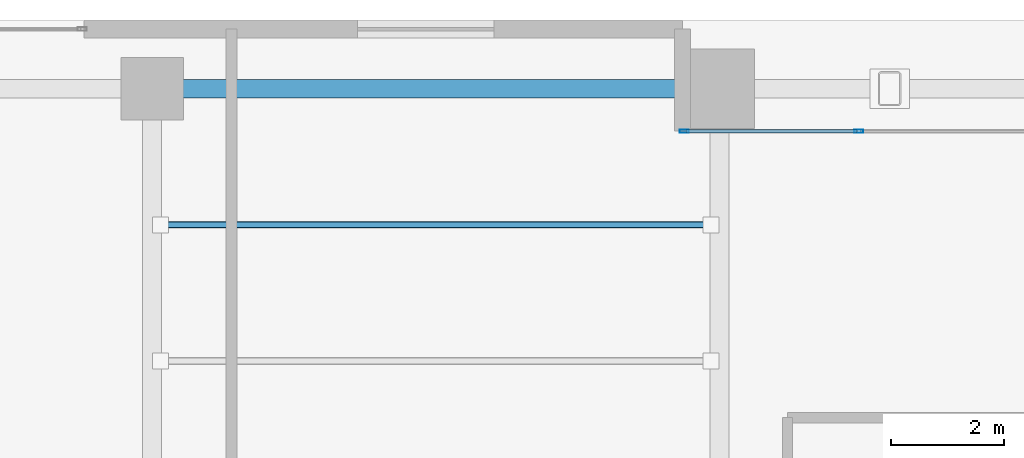
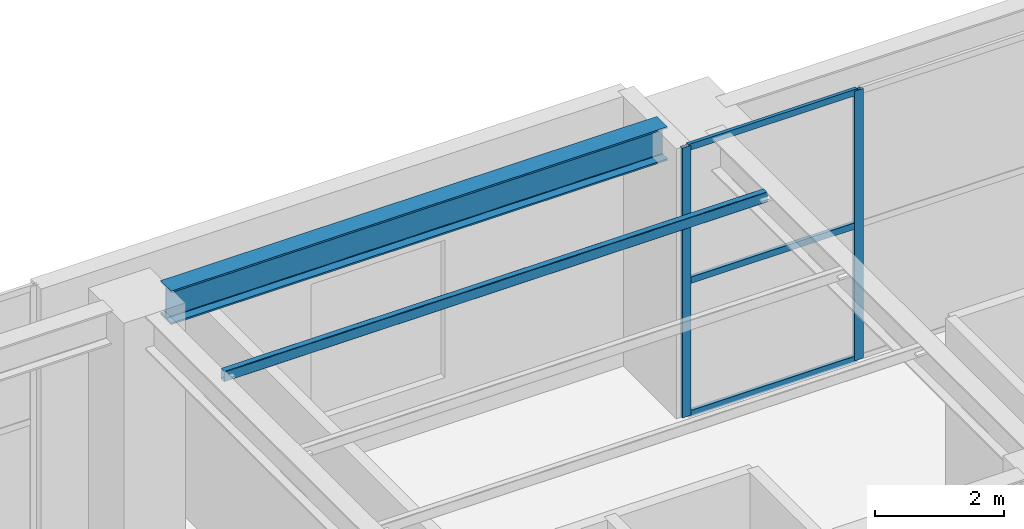
# One storey, part 15 of 32: 6 members, 1 beam, 1 element without a shape of its own.
"""IFC4 building model written with IfcOpenShell, lengths in metres."""

from ifc_helpers import new_model, si_unit, direction, frame, origin, origin_2d, place, context, subcontext, project, spatial, hollow_rectangle, i_section, extrude, material, layer, layer_set, material_profile, profile_set, type_object, element, aggregate, save


model = new_model("IFC4")

# Units and contexts
model_context = context("Model", 3, precision=1e-05, world=origin(), true_north=direction((0.0, 1.0)))
body_context = subcontext(model_context, "Body", "Model", "MODEL_VIEW")
ifc_project = project(units=[si_unit("LENGTHUNIT", "METRE"), si_unit("AREAUNIT", "SQUARE_METRE"), si_unit("VOLUMEUNIT", "CUBIC_METRE"), si_unit("PLANEANGLEUNIT", "RADIAN"), si_unit("MASSUNIT", "GRAM", prefix="KILO")], contexts=[model_context])

# Site, building, storey
site_placement = place(None, origin())
site = spatial("IfcSite", under=ifc_project, at=site_placement, CompositionType="ELEMENT")
building_placement = place(site_placement, origin())
building = spatial("IfcBuilding", under=site, at=building_placement, Name="Sarneth Arch Tower", CompositionType="ELEMENT")
storey_placement = place(building_placement, frame((0.0, 0.0, 11.39990234375)))
storey = spatial("IfcBuildingStorey", under=building, at=storey_placement, Name="L02", CompositionType="ELEMENT", Elevation=11.39990234375)

# Beam
ifc_material_1 = material(Name="Steel S355", Category="steel")
ifc_material_profile_1 = material_profile(ifc_material_1, i_section(OverallWidth=0.3291015625, OverallDepth=0.635009765625, WebThickness=0.017822265625, FlangeThickness=0.031005859375, FilletRadius=0.01904296875, at=origin_2d()), Name="W610x241")
ifc_profile_set_1 = profile_set([ifc_material_profile_1], Name="Steel S355")
beam_type = type_object("IfcBeamType", Name="BM-POD-610", PredefinedType="BEAM", material=ifc_profile_set_1)
beam_placement = place(storey_placement, frame((20.52001953125, 74.800048828125, 4.78271484375), z_axis=(1.0, 0.0, 0.0), x_axis=(0.0, 1.0, 0.0)))
element("IfcBeam", 1, at=beam_placement, inside=storey, type_object=beam_type, Name="L02 Podium PN girder 2", PredefinedType="BEAM", context=body_context, shape_type="SweptSolid", body=[
    extrude(i_section(OverallWidth=0.3291015625, OverallDepth=0.635009765625, WebThickness=0.017822265625, FlangeThickness=0.031005859375, FilletRadius=0.01904296875, at=origin_2d()), origin(), (0.0, 0.0, 1.0), 8.87548828125),
])

# Curtain wall, members
ifc_material_2 = material(Name="Anodised aluminium Type AA25 and solar-control low-e laminated IGU", Category="aluminium")
ifc_layer = layer(ifc_material_2, 0.199951171875)
ifc_layer_set = layer_set([ifc_layer], Name="Anodised aluminium Type AA25 and solar-control low-e laminated IGU")
curtain_wall_type = type_object("IfcCurtainWallType", Name="CW-ARCH-GLAZE", PredefinedType="NOTDEFINED", material=ifc_layer_set)
curtain_wall_placement = place(storey_placement, origin())
curtain_wall = element("IfcCurtainWall", 2, at=curtain_wall_placement, inside=storey, type_object=curtain_wall_type, Name="L02 North parabolic arch portal curtain wall", PredefinedType="NOTDEFINED")
ifc_material_3 = material(Name="Anodised Aluminium 6063-T6", Category="aluminium")
ifc_material_profile_2 = material_profile(ifc_material_3, hollow_rectangle(XDim=0.06005859375, YDim=0.159912109375, WallThickness=0.00390625, at=origin_2d()), Name="AL-MULL-160x60x4")
ifc_profile_set_2 = profile_set([ifc_material_profile_2], Name="Anodised Aluminium 6063-T6")
member_type_1 = type_object("IfcMemberType", Name="CW-MULLION", PredefinedType="MULLION", material=ifc_profile_set_2)
member_1_placement = place(storey_placement, frame((32.458251953125, 74.050048828125, 0.0), z_axis=(0.0, 0.0, 1.0), x_axis=(0.0, -1.0, 0.0)))
member_1 = element("IfcMember", 3, at=member_1_placement, type_object=member_type_1, Name="CW-SYS-2 mullion 12", PredefinedType="MULLION", context=body_context, shape_type="SweptSolid", body=[
    extrude(hollow_rectangle(XDim=0.06005859375, YDim=0.159912109375, WallThickness=0.00390625, at=origin_2d()), origin(), (0.0, 0.0, 1.0), 5.10009765625),
])
member_2_placement = place(storey_placement, frame((29.3798828125, 74.050048828125, 0.0), z_axis=(0.0, 0.0, 1.0), x_axis=(0.0, -1.0, 0.0)))
member_2 = element("IfcMember", 4, at=member_2_placement, type_object=member_type_1, Name="CW-SYS-2 mullion 13", PredefinedType="MULLION", context=body_context, shape_type="SweptSolid", body=[
    extrude(hollow_rectangle(XDim=0.06005859375, YDim=0.159912109375, WallThickness=0.00390625, at=origin_2d()), origin(), (0.0, 0.0, 1.0), 5.10009765625),
])
ifc_material_4 = material(Name="Anodised Aluminium 6063-T6", Category="aluminium")
ifc_material_profile_3 = material_profile(ifc_material_4, hollow_rectangle(XDim=0.06005859375, YDim=0.1201171875, WallThickness=0.00390625, at=origin_2d()), Name="AL-TRAN-120x60x4")
ifc_profile_set_3 = profile_set([ifc_material_profile_3], Name="Anodised Aluminium 6063-T6")
member_type_2 = type_object("IfcMemberType", Name="CW-TRANSOM", PredefinedType="USERDEFINED", material=ifc_profile_set_3)
member_3_placement = place(storey_placement, frame((32.42822265625, 74.050048828125, 0.030029296875), z_axis=(-1.0, 0.0, 0.0), x_axis=(0.0, -1.0, 0.0)))
member_3 = element("IfcMember", 5, at=member_3_placement, type_object=member_type_2, Name="CW-SYS-2 transom 12.1", ObjectType="TRANSOM", PredefinedType="USERDEFINED", context=body_context, shape_type="SweptSolid", body=[
    extrude(hollow_rectangle(XDim=0.06005859375, YDim=0.1201171875, WallThickness=0.00390625, at=origin_2d()), origin(), (0.0, 0.0, 1.0), 3.018310546875),
])
member_4_placement = place(storey_placement, frame((32.42822265625, 74.050048828125, 2.550048828125), z_axis=(-1.0, 0.0, 0.0), x_axis=(0.0, -1.0, 0.0)))
member_4 = element("IfcMember", 6, at=member_4_placement, type_object=member_type_2, Name="CW-SYS-2 transom 12.2", ObjectType="TRANSOM", PredefinedType="USERDEFINED", context=body_context, shape_type="SweptSolid", body=[
    extrude(hollow_rectangle(XDim=0.06005859375, YDim=0.1201171875, WallThickness=0.00390625, at=origin_2d()), origin(), (0.0, 0.0, 1.0), 3.018310546875),
])
member_5_placement = place(storey_placement, frame((32.42822265625, 74.050048828125, 5.070068359375), z_axis=(-1.0, 0.0, 0.0), x_axis=(0.0, -1.0, 0.0)))
member_5 = element("IfcMember", 7, at=member_5_placement, type_object=member_type_2, Name="CW-SYS-2 transom 12.3", ObjectType="TRANSOM", PredefinedType="USERDEFINED", context=body_context, shape_type="SweptSolid", body=[
    extrude(hollow_rectangle(XDim=0.06005859375, YDim=0.1201171875, WallThickness=0.00390625, at=origin_2d()), origin(), (0.0, 0.0, 1.0), 3.018310546875),
])
aggregate(curtain_wall, [member_1, member_2, member_3, member_4, member_5])

# Member
ifc_material_5 = material(Name="Steel S355", Category="steel")
ifc_material_profile_4 = material_profile(ifc_material_5, hollow_rectangle(XDim=0.1201171875, YDim=0.199951171875, WallThickness=0.008056640625, InnerFilletRadius=0.011962890625, OuterFilletRadius=0.02001953125, at=origin_2d()), Name="RHS200x120x8")
ifc_profile_set_4 = profile_set([ifc_material_profile_4], Name="Steel S355")
member_type_3 = type_object("IfcMemberType", Name="MEM-PURLIN-200", PredefinedType="PURLIN", material=ifc_profile_set_4)
member_6_placement = place(storey_placement, frame((20.14990234375, 72.39990234375, 5.0), z_axis=(1.0, 0.0, 0.0), x_axis=(0.0, 1.0, 0.0)))
element("IfcMember", 8, at=member_6_placement, inside=storey, type_object=member_type_3, Name="L02 Skylight roof purlin 3.1", PredefinedType="PURLIN", context=body_context, shape_type="SweptSolid", body=[
    extrude(hollow_rectangle(XDim=0.1201171875, YDim=0.199951171875, WallThickness=0.008056640625, InnerFilletRadius=0.011962890625, OuterFilletRadius=0.02001953125, at=origin_2d()), origin(), (0.0, 0.0, 1.0), 9.7001953125),
])

save(model, "model.ifc")
